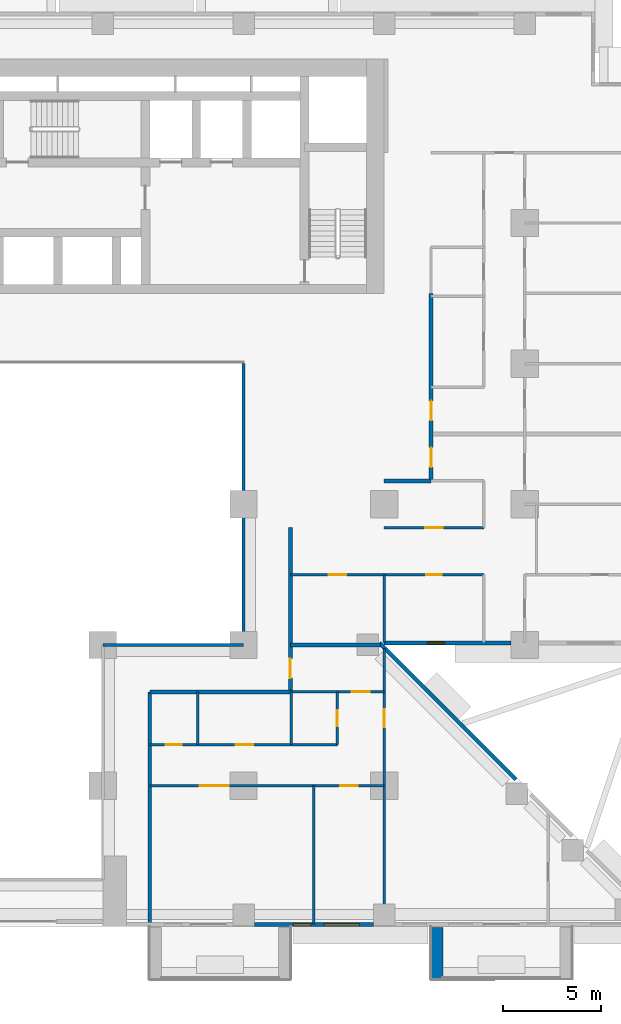
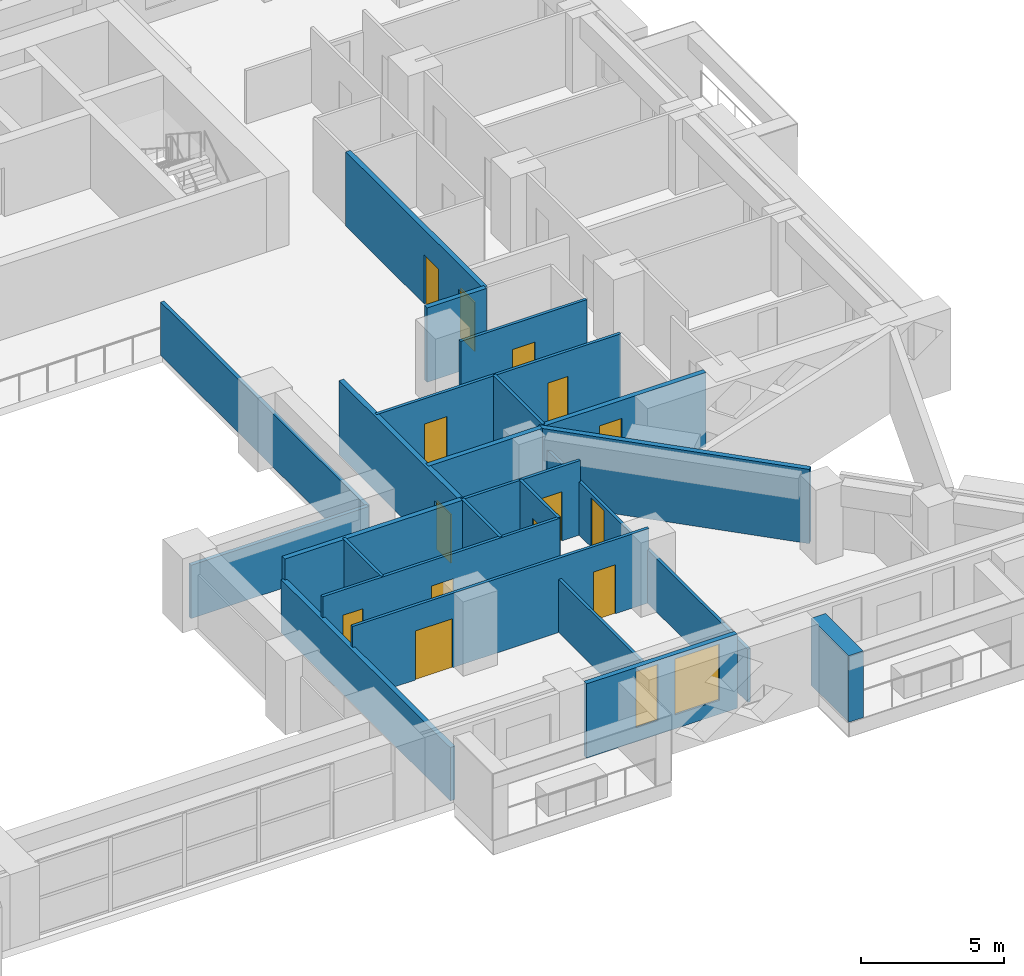
# One storey, part 8 of 17: 23 walls, 13 doors, 3 windows, 16 openings.
"""IFC4 building model written with IfcOpenShell, lengths in metres."""

from ifc_helpers import new_model, si_unit, direction, frame, frame_2d, origin, place, context, subcontext, project, spatial, rectangle, extrude, material, layer, layer_set, type_object, element, fill, save


model = new_model("IFC4")

# Units and contexts
model_context = context("Model", 3, precision=1e-05, world=origin(), true_north=direction((0.0, 1.0)))
body_context = subcontext(model_context, "Body", "Model", "MODEL_VIEW")
ifc_project = project(units=[si_unit("LENGTHUNIT", "METRE"), si_unit("AREAUNIT", "SQUARE_METRE"), si_unit("VOLUMEUNIT", "CUBIC_METRE"), si_unit("PLANEANGLEUNIT", "RADIAN"), si_unit("MASSUNIT", "GRAM", prefix="KILO")], contexts=[model_context])

# Site, building, storey
site_placement = place(None, origin())
site = spatial("IfcSite", under=ifc_project, at=site_placement, CompositionType="ELEMENT")
building_placement = place(site_placement, origin())
building = spatial("IfcBuilding", under=site, at=building_placement, Name="Saffron Iwan Residences", CompositionType="ELEMENT")
storey_placement = place(building_placement, frame((0.0, 0.0, 37.5)))
storey = spatial("IfcBuildingStorey", under=building, at=storey_placement, Name="L08", CompositionType="ELEMENT", Elevation=37.5)

# Walls
ifc_material_1 = material(Name="Fire-rated glazing", Category="glass")
ifc_layer_1 = layer(ifc_material_1, 0.14990234375)
ifc_layer_set_1 = layer_set([ifc_layer_1], Name="Fire-rated glazing")
wall_type_1 = type_object("IfcWallType", Name="Atrium glazed screen 150", PredefinedType="SOLIDWALL", material=ifc_layer_set_1)
wall_1_placement = place(storey_placement, frame((57.60009765625, 48.0, 0.0), z_axis=(0.0, 0.0, 1.0), x_axis=(1.0, 0.0, 0.0)))
element("IfcWall", 1, at=wall_1_placement, inside=storey, type_object=wall_type_1, Name="W-L08-SCREEN-h48-57.6", PredefinedType="SOLIDWALL", context=body_context, shape_type="SweptSolid", body=[
    extrude(rectangle(XDim=7.199951171875, YDim=0.14990234375, at=frame_2d((3.60009765625, 0.0))), origin(), (0.0, 0.0, 1.0), 2.280029296875),
])
wall_2_placement = place(storey_placement, frame((64.800048828125, 48.0, 0.0), z_axis=(0.0, 0.0, 1.0), x_axis=(0.0, 1.0, 0.0)))
element("IfcWall", 2, at=wall_2_placement, inside=storey, type_object=wall_type_1, Name="W-L08-SCREEN-v64.8-48", PredefinedType="SOLIDWALL", context=body_context, shape_type="SweptSolid", body=[
    extrude(rectangle(XDim=14.39990234375, YDim=0.14990234375, at=frame_2d((7.199951171875, 0.0))), origin(), (0.0, 0.0, 1.0), 2.280029296875),
])
ifc_material_2 = material(Name="Concrete C50/60 white painted", Category="concrete")
ifc_layer_2 = layer(ifc_material_2, 0.60009765625)
ifc_layer_set_2 = layer_set([ifc_layer_2], Name="Concrete C50/60 white painted")
wall_type_2 = type_object("IfcWallType", Name="BALCONY FIN 600", PredefinedType="SOLIDWALL", material=ifc_layer_set_2)
wall_3_placement = place(storey_placement, frame((74.699951171875, 33.550048828125, 0.0), z_axis=(0.0, 0.0, 1.0), x_axis=(0.0, -1.0, 0.0)))
element("IfcWall", 3, at=wall_3_placement, inside=storey, type_object=wall_type_2, Name="Balcony fin L08 11-2a", PredefinedType="SOLIDWALL", context=body_context, shape_type="SweptSolid", body=[
    extrude(rectangle(XDim=2.650146484375, YDim=0.60009765625, at=frame_2d((1.3251953125, 0.0))), origin(), (0.0, 0.0, 1.0), 2.85009765625),
])
ifc_material_3 = material(Name="Concrete C40/50", Category="concrete")
ifc_layer_3 = layer(ifc_material_3, 0.199951171875)
ifc_layer_set_3 = layer_set([ifc_layer_3], Name="Concrete C40/50")
wall_type_3 = type_object("IfcWallType", Name="EXTERNAL WALL 200", PredefinedType="SOLIDWALL", material=ifc_layer_set_3)
wall_4_placement = place(storey_placement, frame((78.740478515625, 41.1181640625, 0.0), z_axis=(0.0, 0.0, 1.0), x_axis=(-0.707106781187, 0.707106781187, 0.0)))
element("IfcWall", 4, at=wall_4_placement, inside=storey, type_object=wall_type_3, Name="External wall L08 F0.2", PredefinedType="SOLIDWALL", context=body_context, shape_type="SweptSolid", body=[
    extrude(rectangle(XDim=9.8740234375, YDim=0.199951171875, at=frame_2d((4.93701171875, 0.0))), origin(), (0.0, 0.0, 1.0), 3.179931640625),
])

# Wall, opening, window
wall_5_placement = place(storey_placement, frame((71.988525390625, 48.10009765625, 0.0), z_axis=(0.0, 0.0, 1.0), x_axis=(1.0, 0.0, 0.0)))
wall_5 = element("IfcWall", 5, at=wall_5_placement, inside=storey, type_object=wall_type_3, Name="External wall L08 F1.0", PredefinedType="SOLIDWALL", context=body_context, shape_type="SweptSolid", body=[
    extrude(rectangle(XDim=6.511474609375, YDim=0.199951171875, at=frame_2d((3.255859375, 0.0))), origin(), (0.0, 0.0, 1.0), 3.179931640625),
])
opening_1_placement = place(wall_5_placement, frame((2.205810546875, 0.0, 1.5)))
opening_1 = element("IfcOpeningElement", 6, at=opening_1_placement, cuts=wall_5, Name="Opening W6", PredefinedType="OPENING", context=body_context, shape_type="SweptSolid", body=[
    extrude(rectangle(XDim=0.89990234375, YDim=0.89990234375, at=frame_2d((0.449951171875, 0.449951171875))), frame((0.0, 0.10986328125, 0.0), z_axis=(0.0, -1.0, 0.0), x_axis=(1.0, 0.0, 0.0)), (0.0, 0.0, 1.0), 0.219970703125),
])
ifc_material_4 = material(Name="Clear glass, laminated double glazed", Category="glass")
window_type_1 = type_object("IfcWindowType", Name="WINDOW 900 x 900 BATH", PartitioningType="SINGLE_PANEL", PredefinedType="WINDOW", material=ifc_material_4)
window_1_placement = place(opening_1_placement, origin())
window_1 = element("IfcWindow", 7, at=window_1_placement, inside=storey, type_object=window_type_1, Name="Window L08 F1.0", OverallHeight=0.89990234375, OverallWidth=0.89990234375, PartitioningType="SINGLE_PANEL", PredefinedType="WINDOW", context=body_context, shape_type="SweptSolid", body=[
    extrude(rectangle(XDim=0.89990234375, YDim=0.89990234375, at=frame_2d((0.449951171875, 0.449951171875))), frame((0.0, 0.030029296875, 0.0), z_axis=(0.0, -1.0, 0.0), x_axis=(1.0, 0.0, 0.0)), (0.0, 0.0, 1.0), 0.06005859375),
])
fill(opening_1, window_1)

# Wall, openings, windows
wall_6_placement = place(storey_placement, frame((65.35009765625, 33.699951171875, 0.0), z_axis=(0.0, 0.0, 1.0), x_axis=(1.0, 0.0, 0.0)))
wall_6 = element("IfcWall", 8, at=wall_6_placement, inside=storey, type_object=wall_type_3, Name="External wall L08 F11.5", PredefinedType="SOLIDWALL", context=body_context, shape_type="SweptSolid", body=[
    extrude(rectangle(XDim=6.099853515625, YDim=0.199951171875, at=frame_2d((3.0498046875, 0.0))), origin(), (0.0, 0.0, 1.0), 3.179931640625),
])
opening_2_placement = place(wall_6_placement, frame((3.574951171875, 0.0, 0.60009765625)))
opening_2 = element("IfcOpeningElement", 9, at=opening_2_placement, cuts=wall_6, Name="Opening W8", PredefinedType="OPENING", context=body_context, shape_type="SweptSolid", body=[
    extrude(rectangle(XDim=1.800048828125, YDim=2.39990234375, at=frame_2d((0.89990234375, 1.199951171875))), frame((0.0, 0.10986328125, 0.0), z_axis=(0.0, -1.0, 0.0), x_axis=(1.0, 0.0, 0.0)), (0.0, 0.0, 1.0), 0.219970703125),
])
opening_3_placement = place(wall_6_placement, frame((2.0, 0.0, 0.60009765625)))
opening_3 = element("IfcOpeningElement", 10, at=opening_3_placement, cuts=wall_6, Name="Opening W10", PredefinedType="OPENING", context=body_context, shape_type="SweptSolid", body=[
    extrude(rectangle(XDim=0.89990234375, YDim=2.39990234375, at=frame_2d((0.449951171875, 1.199951171875))), frame((0.0, 0.10986328125, 0.0), z_axis=(0.0, -1.0, 0.0), x_axis=(1.0, 0.0, 0.0)), (0.0, 0.0, 1.0), 0.219970703125),
])
window_type_2 = type_object("IfcWindowType", Name="WINDOW 1800 x 2400", PartitioningType="DOUBLE_PANEL_VERTICAL", PredefinedType="WINDOW", material=ifc_material_4)
window_2_placement = place(opening_2_placement, origin())
window_2 = element("IfcWindow", 11, at=window_2_placement, inside=storey, type_object=window_type_2, Name="Window L08 F11.0", OverallHeight=2.39990234375, OverallWidth=1.800048828125, PartitioningType="DOUBLE_PANEL_VERTICAL", PredefinedType="WINDOW", context=body_context, shape_type="SweptSolid", body=[
    extrude(rectangle(XDim=1.800048828125, YDim=2.39990234375, at=frame_2d((0.89990234375, 1.199951171875))), frame((0.0, 0.030029296875, 0.0), z_axis=(0.0, -1.0, 0.0), x_axis=(1.0, 0.0, 0.0)), (0.0, 0.0, 1.0), 0.06005859375),
])
fill(opening_2, window_2)
window_type_3 = type_object("IfcWindowType", Name="WINDOW 900 x 2400", PartitioningType="SINGLE_PANEL", PredefinedType="WINDOW", material=ifc_material_4)
window_3_placement = place(opening_3_placement, origin())
window_3 = element("IfcWindow", 12, at=window_3_placement, inside=storey, type_object=window_type_3, Name="Window L08 F11.1", OverallHeight=2.39990234375, OverallWidth=0.89990234375, PartitioningType="SINGLE_PANEL", PredefinedType="WINDOW", context=body_context, shape_type="SweptSolid", body=[
    extrude(rectangle(XDim=0.89990234375, YDim=2.39990234375, at=frame_2d((0.449951171875, 1.199951171875))), frame((0.0, 0.030029296875, 0.0), z_axis=(0.0, -1.0, 0.0), x_axis=(1.0, 0.0, 0.0)), (0.0, 0.0, 1.0), 0.06005859375),
])
fill(opening_3, window_3)

# Wall
ifc_material_5 = material(Name="Fire-rated gypsum board wall")
ifc_layer_4 = layer(ifc_material_5, 0.199951171875)
ifc_layer_set_4 = layer_set([ifc_layer_4], Name="Fire-rated gypsum board wall")
wall_type_4 = type_object("IfcWallType", Name="Flat demising wall 200", PredefinedType="SOLIDWALL", material=ifc_layer_set_4)
wall_7_placement = place(storey_placement, frame((67.199951171875, 48.0, 0.0), z_axis=(0.0, 0.0, 1.0), x_axis=(1.0, 0.0, 0.0)))
element("IfcWall", 13, at=wall_7_placement, inside=storey, type_object=wall_type_4, Name="W-L08-DEMISE-h48-67.2", PredefinedType="SOLIDWALL", context=body_context, shape_type="SweptSolid", body=[
    extrude(rectangle(XDim=4.623046875, YDim=0.199951171875, at=frame_2d((2.3115234375, 0.0))), origin(), (0.0, 0.0, 1.0), 3.179931640625),
])

# Wall, openings, doors
ifc_material_6 = material(Name="Gypsum board partition")
ifc_layer_5 = layer(ifc_material_6, 0.1201171875)
ifc_layer_set_5 = layer_set([ifc_layer_5], Name="Gypsum board partition")
wall_type_5 = type_object("IfcWallType", Name="Flat partition 120", PredefinedType="PARTITIONING", material=ifc_layer_set_5)
wall_8_placement = place(storey_placement, frame((60.0, 40.800048828125, 0.0), z_axis=(0.0, 0.0, 1.0), x_axis=(1.0, 0.0, 0.0)))
wall_8 = element("IfcWall", 14, at=wall_8_placement, inside=storey, type_object=wall_type_5, Name="W-L08-PART-h40.8-60", PredefinedType="PARTITIONING", context=body_context, shape_type="SweptSolid", body=[
    extrude(rectangle(XDim=12.0, YDim=0.1201171875, at=frame_2d((6.0, 0.0))), origin(), (0.0, 0.0, 1.0), 3.179931640625),
])
opening_4_placement = place(wall_8_placement, frame((9.75, 0.0, 0.0)))
opening_4 = element("IfcOpeningElement", 15, at=opening_4_placement, cuts=wall_8, Name="Opening FD2", PredefinedType="OPENING", context=body_context, shape_type="SweptSolid", body=[
    extrude(rectangle(XDim=0.89990234375, YDim=2.10009765625, at=frame_2d((0.449951171875, 1.050048828125))), frame((0.0, 0.070068359375, 0.0), z_axis=(0.0, -1.0, 0.0), x_axis=(1.0, 0.0, 0.0)), (0.0, 0.0, 1.0), 0.14013671875),
])
opening_5_placement = place(wall_8_placement, frame((2.550048828125, 0.0, 0.0)))
opening_5 = element("IfcOpeningElement", 16, at=opening_5_placement, cuts=wall_8, Name="Opening FD4", PredefinedType="OPENING", context=body_context, shape_type="SweptSolid", body=[
    extrude(rectangle(XDim=1.5, YDim=2.10009765625, at=frame_2d((0.75, 1.050048828125))), frame((0.0, 0.070068359375, 0.0), z_axis=(0.0, -1.0, 0.0), x_axis=(1.0, 0.0, 0.0)), (0.0, 0.0, 1.0), 0.14013671875),
])
ifc_material_7 = material(Name="Timber door", Category="wood")
door_type_1 = type_object("IfcDoorType", Name="Double door 1500", OperationType="NOTDEFINED", PredefinedType="DOOR", material=ifc_material_7)
door_1_placement = place(opening_5_placement, origin())
door_1 = element("IfcDoor", 17, at=door_1_placement, inside=storey, type_object=door_type_1, Name="Door L08-047", OperationType="SINGLE_SWING_LEFT", OverallHeight=2.10009765625, OverallWidth=1.5, PredefinedType="DOOR", context=body_context, shape_type="SweptSolid", body=[
    extrude(rectangle(XDim=1.5, YDim=2.10009765625, at=frame_2d((0.75, 1.050048828125))), frame((0.0, 0.02490234375, 0.0), z_axis=(0.0, -1.0, 0.0), x_axis=(1.0, 0.0, 0.0)), (0.0, 0.0, 1.0), 0.050048828125),
])
fill(opening_5, door_1)
door_type_2 = type_object("IfcDoorType", Name="Flat door 900", OperationType="NOTDEFINED", PredefinedType="DOOR", material=ifc_material_7)
door_2_placement = place(opening_4_placement, origin())
door_2 = element("IfcDoor", 18, at=door_2_placement, inside=storey, type_object=door_type_2, Name="Door L08-046", OperationType="SINGLE_SWING_LEFT", OverallHeight=2.10009765625, OverallWidth=0.89990234375, PredefinedType="DOOR", context=body_context, shape_type="SweptSolid", body=[
    extrude(rectangle(XDim=0.89990234375, YDim=2.10009765625, at=frame_2d((0.449951171875, 1.050048828125))), frame((0.0, 0.02490234375, 0.0), z_axis=(0.0, -1.0, 0.0), x_axis=(1.0, 0.0, 0.0)), (0.0, 0.0, 1.0), 0.050048828125),
])
fill(opening_4, door_2)

wall_9_placement = place(storey_placement, frame((60.0, 42.89990234375, 0.0), z_axis=(0.0, 0.0, 1.0), x_axis=(1.0, 0.0, 0.0)))
wall_9 = element("IfcWall", 19, at=wall_9_placement, inside=storey, type_object=wall_type_5, Name="W-L08-PART-h42.9-60", PredefinedType="PARTITIONING", context=body_context, shape_type="SweptSolid", body=[
    extrude(rectangle(XDim=9.60009765625, YDim=0.1201171875, at=frame_2d((4.800048828125, 0.0))), origin(), (0.0, 0.0, 1.0), 3.179931640625),
])
opening_6_placement = place(wall_9_placement, frame((4.39990234375, 0.0, 0.0)))
opening_6 = element("IfcOpeningElement", 20, at=opening_6_placement, cuts=wall_9, Name="Opening FD2", PredefinedType="OPENING", context=body_context, shape_type="SweptSolid", body=[
    extrude(rectangle(XDim=0.89990234375, YDim=2.10009765625, at=frame_2d((0.449951171875, 1.050048828125))), frame((0.0, 0.070068359375, 0.0), z_axis=(0.0, -1.0, 0.0), x_axis=(1.0, 0.0, 0.0)), (0.0, 0.0, 1.0), 0.14013671875),
])
opening_7_placement = place(wall_9_placement, frame((0.824951171875, 0.0, 0.0)))
opening_7 = element("IfcOpeningElement", 21, at=opening_7_placement, cuts=wall_9, Name="Opening FD3", PredefinedType="OPENING", context=body_context, shape_type="SweptSolid", body=[
    extrude(rectangle(XDim=0.800048828125, YDim=2.10009765625, at=frame_2d((0.39990234375, 1.050048828125))), frame((0.0, 0.070068359375, 0.0), z_axis=(0.0, -1.0, 0.0), x_axis=(1.0, 0.0, 0.0)), (0.0, 0.0, 1.0), 0.14013671875),
])
door_type_3 = type_object("IfcDoorType", Name="Bathroom door 800", OperationType="NOTDEFINED", PredefinedType="DOOR", material=ifc_material_7)
door_3_placement = place(opening_7_placement, origin())
door_3 = element("IfcDoor", 22, at=door_3_placement, inside=storey, type_object=door_type_3, Name="Door L08-050", OperationType="SINGLE_SWING_RIGHT", OverallHeight=2.10009765625, OverallWidth=0.800048828125, PredefinedType="DOOR", context=body_context, shape_type="SweptSolid", body=[
    extrude(rectangle(XDim=0.800048828125, YDim=2.10009765625, at=frame_2d((0.39990234375, 1.050048828125))), frame((0.0, 0.02490234375, 0.0), z_axis=(0.0, -1.0, 0.0), x_axis=(1.0, 0.0, 0.0)), (0.0, 0.0, 1.0), 0.050048828125),
])
fill(opening_7, door_3)
door_4_placement = place(opening_6_placement, origin())
door_4 = element("IfcDoor", 23, at=door_4_placement, inside=storey, type_object=door_type_2, Name="Door L08-049", OperationType="SINGLE_SWING_LEFT", OverallHeight=2.10009765625, OverallWidth=0.89990234375, PredefinedType="DOOR", context=body_context, shape_type="SweptSolid", body=[
    extrude(rectangle(XDim=0.89990234375, YDim=2.10009765625, at=frame_2d((0.449951171875, 1.050048828125))), frame((0.0, 0.02490234375, 0.0), z_axis=(0.0, -1.0, 0.0), x_axis=(1.0, 0.0, 0.0)), (0.0, 0.0, 1.0), 0.050048828125),
])
fill(opening_6, door_4)

# Wall, opening, door
wall_10_placement = place(storey_placement, frame((67.199951171875, 45.60009765625, 0.0), z_axis=(0.0, 0.0, 1.0), x_axis=(1.0, 0.0, 0.0)))
wall_10 = element("IfcWall", 24, at=wall_10_placement, inside=storey, type_object=wall_type_5, Name="W-L08-PART-h45.6-67.2", PredefinedType="PARTITIONING", context=body_context, shape_type="SweptSolid", body=[
    extrude(rectangle(XDim=4.800048828125, YDim=0.1201171875, at=frame_2d((2.39990234375, 0.0))), origin(), (0.0, 0.0, 1.0), 3.179931640625),
])
opening_8_placement = place(wall_10_placement, frame((3.14990234375, 0.0, 0.0)))
opening_8 = element("IfcOpeningElement", 25, at=opening_8_placement, cuts=wall_10, Name="Opening FD2", PredefinedType="OPENING", context=body_context, shape_type="SweptSolid", body=[
    extrude(rectangle(XDim=0.89990234375, YDim=2.10009765625, at=frame_2d((0.449951171875, 1.050048828125))), frame((0.0, 0.070068359375, 0.0), z_axis=(0.0, -1.0, 0.0), x_axis=(1.0, 0.0, 0.0)), (0.0, 0.0, 1.0), 0.14013671875),
])
door_5_placement = place(opening_8_placement, origin())
door_5 = element("IfcDoor", 26, at=door_5_placement, inside=storey, type_object=door_type_2, Name="Door L08-044", OperationType="SINGLE_SWING_RIGHT", OverallHeight=2.10009765625, OverallWidth=0.89990234375, PredefinedType="DOOR", context=body_context, shape_type="SweptSolid", body=[
    extrude(rectangle(XDim=0.89990234375, YDim=2.10009765625, at=frame_2d((0.449951171875, 1.050048828125))), frame((0.0, 0.02490234375, 0.0), z_axis=(0.0, -1.0, 0.0), x_axis=(1.0, 0.0, 0.0)), (0.0, 0.0, 1.0), 0.050048828125),
])
fill(opening_8, door_5)

# Wall, openings, doors
wall_11_placement = place(storey_placement, frame((67.199951171875, 51.60009765625, 0.0), z_axis=(0.0, 0.0, 1.0), x_axis=(1.0, 0.0, 0.0)))
wall_11 = element("IfcWall", 27, at=wall_11_placement, inside=storey, type_object=wall_type_5, Name="W-L08-PART-h51.6-67.2", PredefinedType="PARTITIONING", context=body_context, shape_type="SweptSolid", body=[
    extrude(rectangle(XDim=9.900146484375, YDim=0.1201171875, at=frame_2d((4.9501953125, 0.0))), origin(), (0.0, 0.0, 1.0), 3.179931640625),
])
opening_9_placement = place(wall_11_placement, frame((6.949951171875, 0.0, 0.0)))
opening_9 = element("IfcOpeningElement", 28, at=opening_9_placement, cuts=wall_11, Name="Opening FD3", PredefinedType="OPENING", context=body_context, shape_type="SweptSolid", body=[
    extrude(rectangle(XDim=0.800048828125, YDim=2.10009765625, at=frame_2d((0.39990234375, 1.050048828125))), frame((0.0, 0.070068359375, 0.0), z_axis=(0.0, -1.0, 0.0), x_axis=(1.0, 0.0, 0.0)), (0.0, 0.0, 1.0), 0.14013671875),
])
opening_10_placement = place(wall_11_placement, frame((1.949951171875, 0.0, 0.0)))
opening_10 = element("IfcOpeningElement", 29, at=opening_10_placement, cuts=wall_11, Name="Opening FD2", PredefinedType="OPENING", context=body_context, shape_type="SweptSolid", body=[
    extrude(rectangle(XDim=0.89990234375, YDim=2.10009765625, at=frame_2d((0.449951171875, 1.050048828125))), frame((0.0, 0.070068359375, 0.0), z_axis=(0.0, -1.0, 0.0), x_axis=(1.0, 0.0, 0.0)), (0.0, 0.0, 1.0), 0.14013671875),
])
door_6_placement = place(opening_9_placement, origin())
door_6 = element("IfcDoor", 30, at=door_6_placement, inside=storey, type_object=door_type_3, Name="Door L08-025", OperationType="SINGLE_SWING_LEFT", OverallHeight=2.10009765625, OverallWidth=0.800048828125, PredefinedType="DOOR", context=body_context, shape_type="SweptSolid", body=[
    extrude(rectangle(XDim=0.800048828125, YDim=2.10009765625, at=frame_2d((0.39990234375, 1.050048828125))), frame((0.0, 0.02490234375, 0.0), z_axis=(0.0, -1.0, 0.0), x_axis=(1.0, 0.0, 0.0)), (0.0, 0.0, 1.0), 0.050048828125),
])
fill(opening_9, door_6)
door_7_placement = place(opening_10_placement, origin())
door_7 = element("IfcDoor", 31, at=door_7_placement, inside=storey, type_object=door_type_2, Name="Door L08-027", OperationType="SINGLE_SWING_LEFT", OverallHeight=2.10009765625, OverallWidth=0.89990234375, PredefinedType="DOOR", context=body_context, shape_type="SweptSolid", body=[
    extrude(rectangle(XDim=0.89990234375, YDim=2.10009765625, at=frame_2d((0.449951171875, 1.050048828125))), frame((0.0, 0.02490234375, 0.0), z_axis=(0.0, -1.0, 0.0), x_axis=(1.0, 0.0, 0.0)), (0.0, 0.0, 1.0), 0.050048828125),
])
fill(opening_10, door_7)

# Wall, opening, door
wall_12_placement = place(storey_placement, frame((72.0, 54.0, 0.0), z_axis=(0.0, 0.0, 1.0), x_axis=(1.0, 0.0, 0.0)))
wall_12 = element("IfcWall", 32, at=wall_12_placement, inside=storey, type_object=wall_type_5, Name="W-L08-PART-h54-72", PredefinedType="PARTITIONING", context=body_context, shape_type="SweptSolid", body=[
    extrude(rectangle(XDim=5.10009765625, YDim=0.1201171875, at=frame_2d((2.550048828125, 0.0))), origin(), (0.0, 0.0, 1.0), 3.179931640625),
])
opening_11_placement = place(wall_12_placement, frame((2.10009765625, 0.0, 0.0)))
opening_11 = element("IfcOpeningElement", 33, at=opening_11_placement, cuts=wall_12, Name="Opening FD2", PredefinedType="OPENING", context=body_context, shape_type="SweptSolid", body=[
    extrude(rectangle(XDim=0.89990234375, YDim=2.10009765625, at=frame_2d((0.449951171875, 1.050048828125))), frame((0.0, 0.070068359375, 0.0), z_axis=(0.0, -1.0, 0.0), x_axis=(1.0, 0.0, 0.0)), (0.0, 0.0, 1.0), 0.14013671875),
])
door_8_placement = place(opening_11_placement, origin())
door_8 = element("IfcDoor", 34, at=door_8_placement, inside=storey, type_object=door_type_2, Name="Door L08-026", OperationType="SINGLE_SWING_RIGHT", OverallHeight=2.10009765625, OverallWidth=0.89990234375, PredefinedType="DOOR", context=body_context, shape_type="SweptSolid", body=[
    extrude(rectangle(XDim=0.89990234375, YDim=2.10009765625, at=frame_2d((0.449951171875, 1.050048828125))), frame((0.0, 0.02490234375, 0.0), z_axis=(0.0, -1.0, 0.0), x_axis=(1.0, 0.0, 0.0)), (0.0, 0.0, 1.0), 0.050048828125),
])
fill(opening_11, door_8)

# Walls
for number, where, z_axis, x_axis, name in (
    (35, (62.449951171875, 42.89990234375, 0.0), (0.0, 0.0, 1.0), (0.0, 1.0, 0.0), "W-L08-PART-v62.45-42.9"),
    (36, (67.25, 42.89990234375, 0.0), (0.0, 0.0, 1.0), (0.0, 1.0, 0.0), "W-L08-PART-v67.25-42.9"),
):
    element("IfcWall", number, at=place(storey_placement, frame(where, z_axis=z_axis, x_axis=x_axis)), inside=storey, type_object=wall_type_5, Name=name, PredefinedType="PARTITIONING", context=body_context, shape_type="SweptSolid", body=[
        extrude(rectangle(XDim=2.7001953125, YDim=0.1201171875, at=frame_2d((1.35009765625, 0.0))), origin(), (0.0, 0.0, 1.0), 3.179931640625),
    ])
wall_13_placement = place(storey_placement, frame((68.39990234375, 33.72509765625, 0.0), z_axis=(0.0, 0.0, 1.0), x_axis=(0.0, 1.0, 0.0)))
element("IfcWall", 37, at=wall_13_placement, inside=storey, type_object=wall_type_5, Name="W-L08-PART-v68.4-33.725", PredefinedType="PARTITIONING", context=body_context, shape_type="SweptSolid", body=[
    extrude(rectangle(XDim=7.074951171875, YDim=0.1201171875, at=frame_2d((3.53759765625, 0.0))), origin(), (0.0, 0.0, 1.0), 2.280029296875),
])

# Wall, opening, door
wall_14_placement = place(storey_placement, frame((69.60009765625, 42.89990234375, 0.0), z_axis=(0.0, 0.0, 1.0), x_axis=(0.0, 1.0, 0.0)))
wall_14 = element("IfcWall", 38, at=wall_14_placement, inside=storey, type_object=wall_type_5, Name="W-L08-PART-v69.6-42.9", PredefinedType="PARTITIONING", context=body_context, shape_type="SweptSolid", body=[
    extrude(rectangle(XDim=2.7001953125, YDim=0.1201171875, at=frame_2d((1.35009765625, 0.0))), origin(), (0.0, 0.0, 1.0), 3.179931640625),
])
opening_12_placement = place(wall_14_placement, frame((0.949951171875, 0.0, 0.0)))
opening_12 = element("IfcOpeningElement", 39, at=opening_12_placement, cuts=wall_14, Name="Opening FD3", PredefinedType="OPENING", context=body_context, shape_type="SweptSolid", body=[
    extrude(rectangle(XDim=0.800048828125, YDim=2.10009765625, at=frame_2d((0.39990234375, 1.050048828125))), frame((0.0, 0.070068359375, 0.0), z_axis=(0.0, -1.0, 0.0), x_axis=(1.0, 0.0, 0.0)), (0.0, 0.0, 1.0), 0.14013671875),
])
door_9_placement = place(opening_12_placement, origin())
door_9 = element("IfcDoor", 40, at=door_9_placement, inside=storey, type_object=door_type_3, Name="Door L08-048", OperationType="SINGLE_SWING_LEFT", OverallHeight=2.10009765625, OverallWidth=0.800048828125, PredefinedType="DOOR", context=body_context, shape_type="SweptSolid", body=[
    extrude(rectangle(XDim=0.800048828125, YDim=2.10009765625, at=frame_2d((0.39990234375, 1.050048828125))), frame((0.0, 0.02490234375, 0.0), z_axis=(0.0, -1.0, 0.0), x_axis=(1.0, 0.0, 0.0)), (0.0, 0.0, 1.0), 0.050048828125),
])
fill(opening_12, door_9)

wall_15_placement = place(storey_placement, frame((72.0, 33.72509765625, 0.0), z_axis=(0.0, 0.0, 1.0), x_axis=(0.0, 1.0, 0.0)))
wall_15 = element("IfcWall", 41, at=wall_15_placement, inside=storey, type_object=wall_type_5, Name="W-L08-PART-v72-33.725", PredefinedType="PARTITIONING", context=body_context, shape_type="SweptSolid", body=[
    extrude(rectangle(XDim=14.097900390625, YDim=0.1201171875, at=frame_2d((7.048828125, 0.0))), origin(), (0.0, 0.0, 1.0), 2.280029296875),
])
opening_13_placement = place(wall_15_placement, frame((10.074951171875, 0.0, 0.0)))
opening_13 = element("IfcOpeningElement", 42, at=opening_13_placement, cuts=wall_15, Name="Opening FD2", PredefinedType="OPENING", context=body_context, shape_type="SweptSolid", body=[
    extrude(rectangle(XDim=0.89990234375, YDim=2.10009765625, at=frame_2d((0.449951171875, 1.050048828125))), frame((0.0, 0.070068359375, 0.0), z_axis=(0.0, -1.0, 0.0), x_axis=(1.0, 0.0, 0.0)), (0.0, 0.0, 1.0), 0.14013671875),
])
door_10_placement = place(opening_13_placement, origin())
door_10 = element("IfcDoor", 43, at=door_10_placement, inside=storey, type_object=door_type_2, Name="Door L08-051", OperationType="SINGLE_SWING_LEFT", OverallHeight=2.10009765625, OverallWidth=0.89990234375, PredefinedType="DOOR", context=body_context, shape_type="SweptSolid", body=[
    extrude(rectangle(XDim=0.89990234375, YDim=2.10009765625, at=frame_2d((0.449951171875, 1.050048828125))), frame((0.0, 0.02490234375, 0.0), z_axis=(0.0, -1.0, 0.0), x_axis=(1.0, 0.0, 0.0)), (0.0, 0.0, 1.0), 0.050048828125),
])
fill(opening_13, door_10)

# Walls
wall_16_placement = place(storey_placement, frame((72.0, 48.125, 0.0), z_axis=(0.0, 0.0, 1.0), x_axis=(0.0, 1.0, 0.0)))
element("IfcWall", 44, at=wall_16_placement, inside=storey, type_object=wall_type_5, Name="W-L08-PART-v72-48.125", PredefinedType="PARTITIONING", context=body_context, shape_type="SweptSolid", body=[
    extrude(rectangle(XDim=3.47509765625, YDim=0.1201171875, at=frame_2d((1.737548828125, 0.0))), origin(), (0.0, 0.0, 1.0), 3.179931640625),
])
ifc_layer_6 = layer(ifc_material_5, 0.199951171875)
ifc_layer_set_6 = layer_set([ifc_layer_6], Name="Fire-rated gypsum board wall")
wall_type_6 = type_object("IfcWallType", Name="Gallery wall 200", PredefinedType="SOLIDWALL", material=ifc_layer_set_6)
wall_17_placement = place(storey_placement, frame((60.0, 45.60009765625, 0.0), z_axis=(0.0, 0.0, 1.0), x_axis=(1.0, 0.0, 0.0)))
element("IfcWall", 45, at=wall_17_placement, inside=storey, type_object=wall_type_6, Name="W-L08-CORR-h45.6-60", PredefinedType="SOLIDWALL", context=body_context, shape_type="SweptSolid", body=[
    extrude(rectangle(XDim=7.25, YDim=0.199951171875, at=frame_2d((3.625, 0.0))), origin(), (0.0, 0.0, 1.0), 3.179931640625),
])
wall_18_placement = place(storey_placement, frame((72.0, 56.39990234375, 0.0), z_axis=(0.0, 0.0, 1.0), x_axis=(1.0, 0.0, 0.0)))
element("IfcWall", 46, at=wall_18_placement, inside=storey, type_object=wall_type_6, Name="W-L08-CORR-h56.4-72", PredefinedType="SOLIDWALL", context=body_context, shape_type="SweptSolid", body=[
    extrude(rectangle(XDim=2.39990234375, YDim=0.199951171875, at=frame_2d((1.199951171875, 0.0))), origin(), (0.0, 0.0, 1.0), 3.179931640625),
])
wall_19_placement = place(storey_placement, frame((60.0, 33.72509765625, 0.0), z_axis=(0.0, 0.0, 1.0), x_axis=(0.0, 1.0, 0.0)))
element("IfcWall", 47, at=wall_19_placement, inside=storey, type_object=wall_type_6, Name="W-L08-CORR-v60-33.725", PredefinedType="SOLIDWALL", context=body_context, shape_type="SweptSolid", body=[
    extrude(rectangle(XDim=11.875, YDim=0.199951171875, at=frame_2d((5.9375, 0.0))), origin(), (0.0, 0.0, 1.0), 2.280029296875),
])

# Wall, opening, door
wall_20_placement = place(storey_placement, frame((67.199951171875, 45.60009765625, 0.0), z_axis=(0.0, 0.0, 1.0), x_axis=(0.0, 1.0, 0.0)))
wall_20 = element("IfcWall", 48, at=wall_20_placement, inside=storey, type_object=wall_type_6, Name="W-L08-CORR-v67.2-45.6", PredefinedType="SOLIDWALL", context=body_context, shape_type="SweptSolid", body=[
    extrude(rectangle(XDim=8.39990234375, YDim=0.199951171875, at=frame_2d((4.199951171875, 0.0))), origin(), (0.0, 0.0, 1.0), 3.179931640625),
])
opening_14_placement = place(wall_20_placement, frame((0.699951171875, 0.0, 0.0)))
opening_14 = element("IfcOpeningElement", 49, at=opening_14_placement, cuts=wall_20, Name="Opening FD5", PredefinedType="OPENING", context=body_context, shape_type="SweptSolid", body=[
    extrude(rectangle(XDim=1.0, YDim=2.10009765625, at=frame_2d((0.5, 1.050048828125))), frame((0.0, 0.10986328125, 0.0), z_axis=(0.0, -1.0, 0.0), x_axis=(1.0, 0.0, 0.0)), (0.0, 0.0, 1.0), 0.219970703125),
])
ifc_material_8 = material(Name="Fire-rated timber door", Category="wood")
door_type_4 = type_object("IfcDoorType", Name="Lobby door 1000", OperationType="NOTDEFINED", PredefinedType="DOOR", material=ifc_material_8)
door_11_placement = place(opening_14_placement, origin())
door_11 = element("IfcDoor", 50, at=door_11_placement, inside=storey, type_object=door_type_4, Name="Door L08-045", OperationType="SINGLE_SWING_LEFT", OverallHeight=2.10009765625, OverallWidth=1.0, PredefinedType="DOOR", context=body_context, shape_type="SweptSolid", body=[
    extrude(rectangle(XDim=1.0, YDim=2.10009765625, at=frame_2d((0.5, 1.050048828125))), frame((0.0, 0.02490234375, 0.0), z_axis=(0.0, -1.0, 0.0), x_axis=(1.0, 0.0, 0.0)), (0.0, 0.0, 1.0), 0.050048828125),
])
fill(opening_14, door_11)

# Wall, openings, doors
wall_21_placement = place(storey_placement, frame((74.39990234375, 56.39990234375, 0.0), z_axis=(0.0, 0.0, 1.0), x_axis=(0.0, 1.0, 0.0)))
wall_21 = element("IfcWall", 51, at=wall_21_placement, inside=storey, type_object=wall_type_6, Name="W-L08-CORR-v74.4-56.4", PredefinedType="SOLIDWALL", context=body_context, shape_type="SweptSolid", body=[
    extrude(rectangle(XDim=9.60009765625, YDim=0.199951171875, at=frame_2d((4.800048828125, 0.0))), origin(), (0.0, 0.0, 1.0), 3.179931640625),
])
opening_15_placement = place(wall_21_placement, frame((0.699951171875, 0.0, 0.0)))
opening_15 = element("IfcOpeningElement", 52, at=opening_15_placement, cuts=wall_21, Name="Opening FD1", PredefinedType="OPENING", context=body_context, shape_type="SweptSolid", body=[
    extrude(rectangle(XDim=1.0, YDim=2.10009765625, at=frame_2d((0.5, 1.050048828125))), frame((0.0, 0.10986328125, 0.0), z_axis=(0.0, -1.0, 0.0), x_axis=(1.0, 0.0, 0.0)), (0.0, 0.0, 1.0), 0.219970703125),
])
opening_16_placement = place(wall_21_placement, frame((3.10009765625, 0.0, 0.0)))
opening_16 = element("IfcOpeningElement", 53, at=opening_16_placement, cuts=wall_21, Name="Opening FD1", PredefinedType="OPENING", context=body_context, shape_type="SweptSolid", body=[
    extrude(rectangle(XDim=1.0, YDim=2.10009765625, at=frame_2d((0.5, 1.050048828125))), frame((0.0, 0.10986328125, 0.0), z_axis=(0.0, -1.0, 0.0), x_axis=(1.0, 0.0, 0.0)), (0.0, 0.0, 1.0), 0.219970703125),
])
door_type_5 = type_object("IfcDoorType", Name="FD30S flat entrance door 1000", OperationType="NOTDEFINED", PredefinedType="DOOR", material=ifc_material_8)
door_12_placement = place(opening_15_placement, origin())
door_12 = element("IfcDoor", 54, at=door_12_placement, inside=storey, type_object=door_type_5, Name="Door L08-021", OperationType="SINGLE_SWING_LEFT", OverallHeight=2.10009765625, OverallWidth=1.0, PredefinedType="DOOR", context=body_context, shape_type="SweptSolid", body=[
    extrude(rectangle(XDim=1.0, YDim=2.10009765625, at=frame_2d((0.5, 1.050048828125))), frame((0.0, 0.02490234375, 0.0), z_axis=(0.0, -1.0, 0.0), x_axis=(1.0, 0.0, 0.0)), (0.0, 0.0, 1.0), 0.050048828125),
])
fill(opening_15, door_12)
door_13_placement = place(opening_16_placement, origin())
door_13 = element("IfcDoor", 55, at=door_13_placement, inside=storey, type_object=door_type_5, Name="Door L08-035", OperationType="SINGLE_SWING_RIGHT", OverallHeight=2.10009765625, OverallWidth=1.0, PredefinedType="DOOR", context=body_context, shape_type="SweptSolid", body=[
    extrude(rectangle(XDim=1.0, YDim=2.10009765625, at=frame_2d((0.5, 1.050048828125))), frame((0.0, 0.02490234375, 0.0), z_axis=(0.0, -1.0, 0.0), x_axis=(1.0, 0.0, 0.0)), (0.0, 0.0, 1.0), 0.050048828125),
])
fill(opening_16, door_13)

save(model, "model.ifc")
